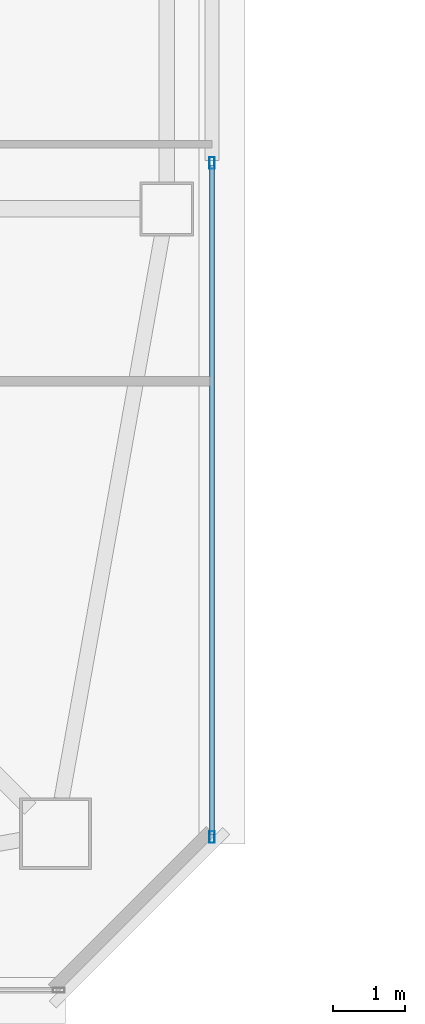
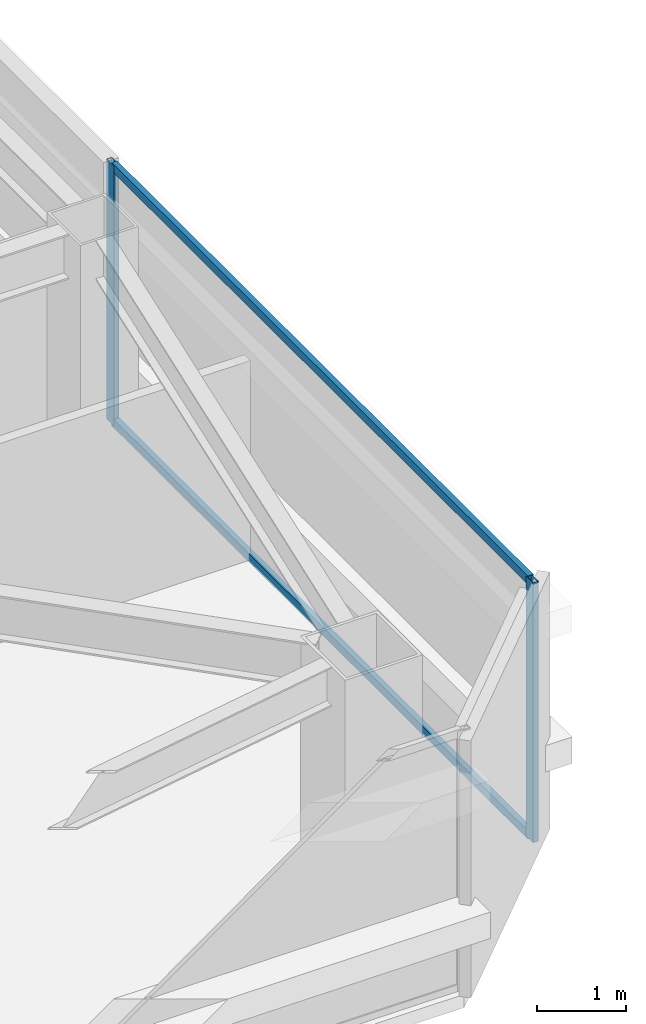
# One storey, part 10 of 39: 4 members, 1 element without a shape of its own.
"""IFC4 building model written with IfcOpenShell, lengths in metres."""

from ifc_helpers import new_model, si_unit, direction, frame, origin, origin_2d, place, context, subcontext, project, spatial, hollow_rectangle, extrude, material, material_profile, profile_set, type_object, element, aggregate, save


model = new_model("IFC4")

# Units and contexts
model_context = context("Model", 3, precision=1e-05, world=origin(), true_north=direction((0.0, 1.0)))
body_context = subcontext(model_context, "Body", "Model", "MODEL_VIEW")
ifc_project = project(units=[si_unit("LENGTHUNIT", "METRE"), si_unit("AREAUNIT", "SQUARE_METRE"), si_unit("VOLUMEUNIT", "CUBIC_METRE"), si_unit("PLANEANGLEUNIT", "RADIAN"), si_unit("MASSUNIT", "GRAM", prefix="KILO")], contexts=[model_context])

# Site, building, storey
site_placement = place(None, origin())
site = spatial("IfcSite", under=ifc_project, at=site_placement, CompositionType="ELEMENT")
building_placement = place(site_placement, origin())
building = spatial("IfcBuilding", under=site, at=building_placement, Name="Tashvorn Skyway Center", CompositionType="ELEMENT")
storey_placement = place(building_placement, frame((0.0, 0.0, 207.75)))
storey = spatial("IfcBuildingStorey", under=building, at=storey_placement, Name="L56", CompositionType="ELEMENT", Elevation=207.75)

# Curtain wall, members
ifc_material = material(Name="Thermally broken bronze-anodized aluminium 6063-T6", Category="aluminium")
curtain_wall_type = type_object("IfcCurtainWallType", Name="CW-CW-Z5", PredefinedType="NOTDEFINED", material=ifc_material)
curtain_wall_placement = place(storey_placement, origin())
curtain_wall = element("IfcCurtainWall", 1, at=curtain_wall_placement, inside=storey, type_object=curtain_wall_type, Name="Tower 1 L56 East Unitised Curtain Wall Glazing Group 2", PredefinedType="NOTDEFINED")
ifc_material_profile_1 = material_profile(ifc_material, hollow_rectangle(XDim=0.070068359375, YDim=0.1650390625, WallThickness=0.00390625, at=origin_2d()), Name="ALU-MULL-70x165")
ifc_profile_set_1 = profile_set([ifc_material_profile_1], Name="Thermally broken bronze-anodized aluminium 6063-T6")
member_type_1 = type_object("IfcMemberType", Name="CWM-CW-Z5", PredefinedType="MULLION", material=ifc_profile_set_1)
member_1_placement = place(storey_placement, frame((58.280029296875, 27.23828125, 0.0), z_axis=(0.0, 0.0, 1.0), x_axis=(1.0, 0.0, 0.0)))
member_1 = element("IfcMember", 2, at=member_1_placement, type_object=member_type_1, Name="CW-Z5 mullion 1", PredefinedType="MULLION", context=body_context, shape_type="SweptSolid", body=[
    extrude(hollow_rectangle(XDim=0.070068359375, YDim=0.1650390625, WallThickness=0.00390625, at=origin_2d()), origin(), (0.0, 0.0, 1.0), 3.550048828125),
])
member_2_placement = place(storey_placement, frame((58.280029296875, 17.85498046875, 0.0), z_axis=(0.0, 0.0, 1.0), x_axis=(1.0, 0.0, 0.0)))
member_2 = element("IfcMember", 3, at=member_2_placement, type_object=member_type_1, Name="CW-Z5 mullion 2", PredefinedType="MULLION", context=body_context, shape_type="SweptSolid", body=[
    extrude(hollow_rectangle(XDim=0.070068359375, YDim=0.1650390625, WallThickness=0.00390625, at=origin_2d()), origin(), (0.0, 0.0, 1.0), 3.550048828125),
])
ifc_material_profile_2 = material_profile(ifc_material, hollow_rectangle(XDim=0.070068359375, YDim=0.114990234375, WallThickness=0.00390625, at=origin_2d()), Name="ALU-TRAN-70x115")
ifc_profile_set_2 = profile_set([ifc_material_profile_2], Name="Thermally broken bronze-anodized aluminium 6063-T6")
member_type_2 = type_object("IfcMemberType", Name="CWT-CW-Z5", PredefinedType="USERDEFINED", material=ifc_profile_set_2)
member_3_placement = place(storey_placement, frame((58.280029296875, 27.203369140625, 0.034912109375), z_axis=(0.0, -1.0, 0.0), x_axis=(1.0, 0.0, 0.0)))
member_3 = element("IfcMember", 4, at=member_3_placement, type_object=member_type_2, Name="CW-Z5 transom 1.1", ObjectType="TRANSOM", PredefinedType="USERDEFINED", context=body_context, shape_type="SweptSolid", body=[
    extrude(hollow_rectangle(XDim=0.070068359375, YDim=0.114990234375, WallThickness=0.00390625, at=origin_2d()), origin(), (0.0, 0.0, 1.0), 9.3134765625),
])
member_4_placement = place(storey_placement, frame((58.280029296875, 27.203369140625, 3.514892578125), z_axis=(0.0, -1.0, 0.0), x_axis=(1.0, 0.0, 0.0)))
member_4 = element("IfcMember", 5, at=member_4_placement, type_object=member_type_2, Name="CW-Z5 transom 1.2", ObjectType="TRANSOM", PredefinedType="USERDEFINED", context=body_context, shape_type="SweptSolid", body=[
    extrude(hollow_rectangle(XDim=0.070068359375, YDim=0.114990234375, WallThickness=0.00390625, at=origin_2d()), origin(), (0.0, 0.0, 1.0), 9.3134765625),
])
aggregate(curtain_wall, [member_1, member_2, member_3, member_4])

save(model, "model.ifc")
